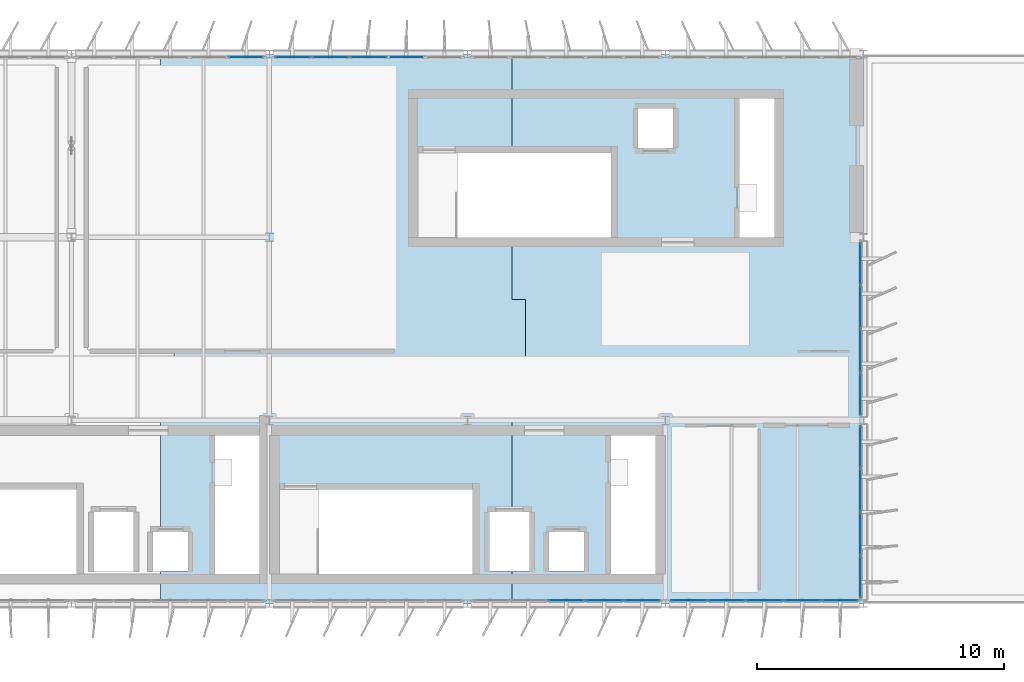
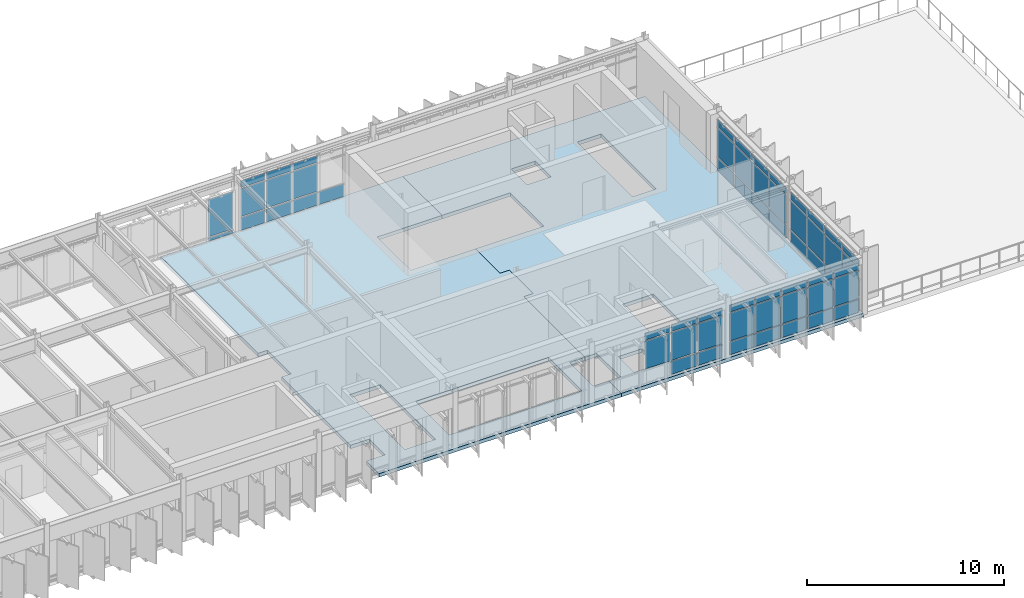
# One storey, part 13 of 20: 59 plates, 2 slabs, 6 elements without a shape of their own.
"""IFC4 building model written with IfcOpenShell, lengths in metres."""

from ifc_helpers import new_model, si_unit, direction, frame, origin, origin_2d, place, context, subcontext, project, spatial, polyline, rectangle, outline, extrude, material, layer, layer_set, type_object, element, aggregate, save


model = new_model("IFC4")

# Units and contexts
model_context = context("Model", 3, precision=1e-05, world=origin(), true_north=direction((0.0, 1.0)))
body_context = subcontext(model_context, "Body", "Model", "MODEL_VIEW")
ifc_project = project(units=[si_unit("LENGTHUNIT", "METRE"), si_unit("AREAUNIT", "SQUARE_METRE"), si_unit("VOLUMEUNIT", "CUBIC_METRE"), si_unit("PLANEANGLEUNIT", "RADIAN"), si_unit("MASSUNIT", "GRAM", prefix="KILO")], contexts=[model_context])

# Site, building, storey
site_placement = place(None, origin())
site = spatial("IfcSite", under=ifc_project, at=site_placement, CompositionType="ELEMENT")
building_placement = place(site_placement, origin())
building = spatial("IfcBuilding", under=site, at=building_placement, Name="Valkorina Park Police Headquarters", CompositionType="ELEMENT")
storey_placement = place(building_placement, frame((0.0, 0.0, 31.10009765625)))
storey = spatial("IfcBuildingStorey", under=building, at=storey_placement, Name="L08", CompositionType="ELEMENT", Elevation=31.10009765625)

# Curtain wall, plates
ifc_material_1 = material(Name="Thermally broken aluminium AW-6060", Category="aluminium")
ifc_layer_1 = layer(ifc_material_1, 0.18994140625)
ifc_layer_set_1 = layer_set([ifc_layer_1], Name="Thermally broken aluminium AW-6060")
curtain_wall_type_1 = type_object("IfcCurtainWallType", Name="CW-V5-7680x3210", PredefinedType="NOTDEFINED", material=ifc_layer_set_1)
curtain_wall_1_placement = place(storey_placement, origin())
curtain_wall_1 = element("IfcCurtainWall", 1, at=curtain_wall_1_placement, inside=storey, type_object=curtain_wall_type_1, Name="L08 Unitised Curtain Wall 156", PredefinedType="NOTDEFINED")
ifc_layer_2 = layer(ifc_material_1, 0.050048828125)
ifc_layer_set_2 = layer_set([ifc_layer_2], Name="Thermally broken aluminium AW-6060")
plate_type_1 = type_object("IfcPlateType", Name="PL-CWP-SPANDREL-50", PredefinedType="CURTAIN_PANEL", material=ifc_layer_set_2)
plate_1_placement = place(storey_placement, frame((55.8544921875, 37.1201171875, 0.06982421875), z_axis=(0.0, 0.0, 1.0), x_axis=(-1.0, 0.0, 0.0)))
plate_1 = element("IfcPlate", 2, at=plate_1_placement, type_object=plate_type_1, Name="CW-V5-768-321 panel 1.1", PredefinedType="CURTAIN_PANEL", context=body_context, shape_type="SweptSolid", body=[
    extrude(rectangle(XDim=1.430908203125, YDim=0.028076171875, at=origin_2d()), origin(), (0.0, 0.0, 1.0), 0.794921875),
])
plate_2_placement = place(storey_placement, frame((54.3359375, 37.1201171875, 0.06982421875), z_axis=(0.0, 0.0, 1.0), x_axis=(-1.0, 0.0, 0.0)))
plate_2 = element("IfcPlate", 3, at=plate_2_placement, type_object=plate_type_1, Name="CW-V5-768-321 panel 2.1", PredefinedType="CURTAIN_PANEL", context=body_context, shape_type="SweptSolid", body=[
    extrude(rectangle(XDim=1.466064453125, YDim=0.028076171875, at=origin_2d()), origin(), (0.0, 0.0, 1.0), 0.794921875),
])
plate_3_placement = place(storey_placement, frame((52.800048828125, 37.1201171875, 0.06982421875), z_axis=(0.0, 0.0, 1.0), x_axis=(-1.0, 0.0, 0.0)))
plate_3 = element("IfcPlate", 4, at=plate_3_placement, type_object=plate_type_1, Name="CW-V5-768-321 panel 3.1", PredefinedType="CURTAIN_PANEL", context=body_context, shape_type="SweptSolid", body=[
    extrude(rectangle(XDim=1.466064453125, YDim=0.028076171875, at=origin_2d()), origin(), (0.0, 0.0, 1.0), 0.794921875),
])
plate_4_placement = place(storey_placement, frame((51.263916015625, 37.1201171875, 0.06982421875), z_axis=(0.0, 0.0, 1.0), x_axis=(-1.0, 0.0, 0.0)))
plate_4 = element("IfcPlate", 5, at=plate_4_placement, type_object=plate_type_1, Name="CW-V5-768-321 panel 4.1", PredefinedType="CURTAIN_PANEL", context=body_context, shape_type="SweptSolid", body=[
    extrude(rectangle(XDim=1.466064453125, YDim=0.028076171875, at=origin_2d()), origin(), (0.0, 0.0, 1.0), 0.794921875),
])
plate_5_placement = place(storey_placement, frame((49.74560546875, 37.1201171875, 0.06982421875), z_axis=(0.0, 0.0, 1.0), x_axis=(-1.0, 0.0, 0.0)))
plate_5 = element("IfcPlate", 6, at=plate_5_placement, type_object=plate_type_1, Name="CW-V5-768-321 panel 5.1", PredefinedType="CURTAIN_PANEL", context=body_context, shape_type="SweptSolid", body=[
    extrude(rectangle(XDim=1.430908203125, YDim=0.028076171875, at=origin_2d()), origin(), (0.0, 0.0, 1.0), 0.794921875),
])

curtain_wall_2_placement = place(storey_placement, origin())
curtain_wall_2 = element("IfcCurtainWall", 7, at=curtain_wall_2_placement, inside=storey, type_object=curtain_wall_type_1, Name="L08 Unitised Curtain Wall 157", PredefinedType="NOTDEFINED")
plate_6_placement = place(storey_placement, frame((47.8544921875, 37.1201171875, 0.06982421875), z_axis=(0.0, 0.0, 1.0), x_axis=(-1.0, 0.0, 0.0)))
plate_6 = element("IfcPlate", 8, at=plate_6_placement, type_object=plate_type_1, Name="CW-V5-768-321 panel 1.1", PredefinedType="CURTAIN_PANEL", context=body_context, shape_type="SweptSolid", body=[
    extrude(rectangle(XDim=1.430908203125, YDim=0.028076171875, at=origin_2d()), origin(), (0.0, 0.0, 1.0), 0.794921875),
])
plate_7_placement = place(storey_placement, frame((46.3359375, 37.1201171875, 0.06982421875), z_axis=(0.0, 0.0, 1.0), x_axis=(-1.0, 0.0, 0.0)))
plate_7 = element("IfcPlate", 9, at=plate_7_placement, type_object=plate_type_1, Name="CW-V5-768-321 panel 2.1", PredefinedType="CURTAIN_PANEL", context=body_context, shape_type="SweptSolid", body=[
    extrude(rectangle(XDim=1.466064453125, YDim=0.028076171875, at=origin_2d()), origin(), (0.0, 0.0, 1.0), 0.794921875),
])

# Curtain wall, plate
ifc_layer_3 = layer(ifc_material_1, 0.18994140625)
ifc_layer_set_3 = layer_set([ifc_layer_3], Name="Thermally broken aluminium AW-6060")
curtain_wall_type_2 = type_object("IfcCurtainWallType", Name="CW-V5-7680x2710", PredefinedType="NOTDEFINED", material=ifc_layer_set_3)
curtain_wall_3_placement = place(storey_placement, origin())
curtain_wall_3 = element("IfcCurtainWall", 10, at=curtain_wall_3_placement, inside=storey, type_object=curtain_wall_type_2, Name="L08 Unitised Curtain Wall 169", PredefinedType="NOTDEFINED")
plate_8_placement = place(storey_placement, frame((31.8544921875, 59.080078125, 0.06982421875), z_axis=(0.0, 0.0, 1.0), x_axis=(1.0, 0.0, 0.0)))
plate_8 = element("IfcPlate", 11, at=plate_8_placement, type_object=plate_type_1, Name="CW-V5-768-271 panel 5.1", PredefinedType="CURTAIN_PANEL", context=body_context, shape_type="SweptSolid", body=[
    extrude(rectangle(XDim=1.430908203125, YDim=0.028076171875, at=origin_2d()), origin(), (0.0, 0.0, 1.0), 0.195068359375),
])

# Curtain wall, plates
curtain_wall_4_placement = place(storey_placement, origin())
curtain_wall_4 = element("IfcCurtainWall", 12, at=curtain_wall_4_placement, inside=storey, type_object=curtain_wall_type_1, Name="L08 Unitised Curtain Wall 170", PredefinedType="NOTDEFINED")
plate_9_placement = place(storey_placement, frame((33.74560546875, 59.080078125, 0.06982421875), z_axis=(0.0, 0.0, 1.0), x_axis=(1.0, 0.0, 0.0)))
plate_9 = element("IfcPlate", 13, at=plate_9_placement, type_object=plate_type_1, Name="CW-V5-768-321 panel 1.1", PredefinedType="CURTAIN_PANEL", context=body_context, shape_type="SweptSolid", body=[
    extrude(rectangle(XDim=1.430908203125, YDim=0.028076171875, at=origin_2d()), origin(), (0.0, 0.0, 1.0), 0.794921875),
])
plate_10_placement = place(storey_placement, frame((35.263916015625, 59.080078125, 0.06982421875), z_axis=(0.0, 0.0, 1.0), x_axis=(1.0, 0.0, 0.0)))
plate_10 = element("IfcPlate", 14, at=plate_10_placement, type_object=plate_type_1, Name="CW-V5-768-321 panel 2.1", PredefinedType="CURTAIN_PANEL", context=body_context, shape_type="SweptSolid", body=[
    extrude(rectangle(XDim=1.466064453125, YDim=0.028076171875, at=origin_2d()), origin(), (0.0, 0.0, 1.0), 0.794921875),
])
plate_11_placement = place(storey_placement, frame((36.800048828125, 59.080078125, 0.06982421875), z_axis=(0.0, 0.0, 1.0), x_axis=(1.0, 0.0, 0.0)))
plate_11 = element("IfcPlate", 15, at=plate_11_placement, type_object=plate_type_1, Name="CW-V5-768-321 panel 3.1", PredefinedType="CURTAIN_PANEL", context=body_context, shape_type="SweptSolid", body=[
    extrude(rectangle(XDim=1.466064453125, YDim=0.028076171875, at=origin_2d()), origin(), (0.0, 0.0, 1.0), 0.794921875),
])
plate_12_placement = place(storey_placement, frame((38.3359375, 59.080078125, 0.06982421875), z_axis=(0.0, 0.0, 1.0), x_axis=(1.0, 0.0, 0.0)))
plate_12 = element("IfcPlate", 16, at=plate_12_placement, type_object=plate_type_1, Name="CW-V5-768-321 panel 4.1", PredefinedType="CURTAIN_PANEL", context=body_context, shape_type="SweptSolid", body=[
    extrude(rectangle(XDim=1.466064453125, YDim=0.028076171875, at=origin_2d()), origin(), (0.0, 0.0, 1.0), 0.794921875),
])

ifc_layer_4 = layer(ifc_material_1, 0.18994140625)
ifc_layer_set_4 = layer_set([ifc_layer_4], Name="Thermally broken aluminium AW-6060")
curtain_wall_type_3 = type_object("IfcCurtainWallType", Name="CW-V5-7080x3280", PredefinedType="NOTDEFINED", material=ifc_layer_set_4)
curtain_wall_5_placement = place(storey_placement, origin())
curtain_wall_5 = element("IfcCurtainWall", 17, at=curtain_wall_5_placement, inside=storey, type_object=curtain_wall_type_3, Name="L08 Unitised Curtain Wall 173", PredefinedType="NOTDEFINED")
plate_13_placement = place(storey_placement, frame((56.679931640625, 50.737548828125, 0.06982421875), z_axis=(0.0, 0.0, 1.0), x_axis=(0.0, -1.0, 0.0)))
plate_13 = element("IfcPlate", 18, at=plate_13_placement, type_object=plate_type_1, Name="CW-V5-708-328 panel 1.1", PredefinedType="CURTAIN_PANEL", context=body_context, shape_type="SweptSolid", body=[
    extrude(rectangle(XDim=1.6650390625, YDim=0.028076171875, at=origin_2d()), origin(), (0.0, 0.0, 1.0), 0.794921875),
])
plate_14_placement = place(storey_placement, frame((56.679931640625, 48.985107421875, 0.06982421875), z_axis=(0.0, 0.0, 1.0), x_axis=(0.0, -1.0, 0.0)))
plate_14 = element("IfcPlate", 19, at=plate_14_placement, type_object=plate_type_1, Name="CW-V5-708-328 panel 2.1", PredefinedType="CURTAIN_PANEL", context=body_context, shape_type="SweptSolid", body=[
    extrude(rectangle(XDim=1.699951171875, YDim=0.028076171875, at=origin_2d()), origin(), (0.0, 0.0, 1.0), 0.794921875),
])
plate_15_placement = place(storey_placement, frame((56.679931640625, 47.215087890625, 0.06982421875), z_axis=(0.0, 0.0, 1.0), x_axis=(0.0, -1.0, 0.0)))
plate_15 = element("IfcPlate", 20, at=plate_15_placement, type_object=plate_type_1, Name="CW-V5-708-328 panel 3.1", PredefinedType="CURTAIN_PANEL", context=body_context, shape_type="SweptSolid", body=[
    extrude(rectangle(XDim=1.699951171875, YDim=0.028076171875, at=origin_2d()), origin(), (0.0, 0.0, 1.0), 0.794921875),
])
plate_16_placement = place(storey_placement, frame((56.679931640625, 45.46240234375, 0.06982421875), z_axis=(0.0, 0.0, 1.0), x_axis=(0.0, -1.0, 0.0)))
plate_16 = element("IfcPlate", 21, at=plate_16_placement, type_object=plate_type_1, Name="CW-V5-708-328 panel 4.1", PredefinedType="CURTAIN_PANEL", context=body_context, shape_type="SweptSolid", body=[
    extrude(rectangle(XDim=1.6650390625, YDim=0.028076171875, at=origin_2d()), origin(), (0.0, 0.0, 1.0), 0.794921875),
])

curtain_wall_6_placement = place(storey_placement, origin())
curtain_wall_6 = element("IfcCurtainWall", 22, at=curtain_wall_6_placement, inside=storey, type_object=curtain_wall_type_3, Name="L08 Unitised Curtain Wall 174", PredefinedType="NOTDEFINED")
plate_17_placement = place(storey_placement, frame((56.679931640625, 43.33740234375, 0.06982421875), z_axis=(0.0, 0.0, 1.0), x_axis=(0.0, -1.0, 0.0)))
plate_17 = element("IfcPlate", 23, at=plate_17_placement, type_object=plate_type_1, Name="CW-V5-708-328 panel 1.1", PredefinedType="CURTAIN_PANEL", context=body_context, shape_type="SweptSolid", body=[
    extrude(rectangle(XDim=1.6650390625, YDim=0.028076171875, at=origin_2d()), origin(), (0.0, 0.0, 1.0), 0.794921875),
])
plate_18_placement = place(storey_placement, frame((56.679931640625, 41.5849609375, 0.06982421875), z_axis=(0.0, 0.0, 1.0), x_axis=(0.0, -1.0, 0.0)))
plate_18 = element("IfcPlate", 24, at=plate_18_placement, type_object=plate_type_1, Name="CW-V5-708-328 panel 2.1", PredefinedType="CURTAIN_PANEL", context=body_context, shape_type="SweptSolid", body=[
    extrude(rectangle(XDim=1.699951171875, YDim=0.028076171875, at=origin_2d()), origin(), (0.0, 0.0, 1.0), 0.794921875),
])
plate_19_placement = place(storey_placement, frame((56.679931640625, 39.81494140625, 0.06982421875), z_axis=(0.0, 0.0, 1.0), x_axis=(0.0, -1.0, 0.0)))
plate_19 = element("IfcPlate", 25, at=plate_19_placement, type_object=plate_type_1, Name="CW-V5-708-328 panel 3.1", PredefinedType="CURTAIN_PANEL", context=body_context, shape_type="SweptSolid", body=[
    extrude(rectangle(XDim=1.699951171875, YDim=0.028076171875, at=origin_2d()), origin(), (0.0, 0.0, 1.0), 0.794921875),
])
plate_20_placement = place(storey_placement, frame((56.679931640625, 38.0625, 0.06982421875), z_axis=(0.0, 0.0, 1.0), x_axis=(0.0, -1.0, 0.0)))
plate_20 = element("IfcPlate", 26, at=plate_20_placement, type_object=plate_type_1, Name="CW-V5-708-328 panel 4.1", PredefinedType="CURTAIN_PANEL", context=body_context, shape_type="SweptSolid", body=[
    extrude(rectangle(XDim=1.6650390625, YDim=0.028076171875, at=origin_2d()), origin(), (0.0, 0.0, 1.0), 0.794921875),
])

# Plate
ifc_material_2 = material(Name="Triple low-E insulated glazing", Category="glass")
ifc_layer_5 = layer(ifc_material_2, 0.028076171875)
ifc_layer_set_5 = layer_set([ifc_layer_5], Name="Triple low-E insulated glazing")
plate_type_2 = type_object("IfcPlateType", Name="PL-CWP-VISION-28", PredefinedType="CURTAIN_PANEL", material=ifc_layer_set_5)
plate_21_placement = place(storey_placement, frame((55.8544921875, 37.1201171875, 0.93505859375), z_axis=(0.0, 0.0, 1.0), x_axis=(-1.0, 0.0, 0.0)))
plate_21 = element("IfcPlate", 27, at=plate_21_placement, type_object=plate_type_2, Name="CW-V5-768-321 panel 1.2", PredefinedType="CURTAIN_PANEL", context=body_context, shape_type="SweptSolid", body=[
    extrude(rectangle(XDim=1.430908203125, YDim=0.028076171875, at=origin_2d()), origin(), (0.0, 0.0, 1.0), 1.719970703125),
])

plate_22_placement = place(storey_placement, frame((55.8544921875, 37.1201171875, 2.724853515625), z_axis=(0.0, 0.0, 1.0), x_axis=(-1.0, 0.0, 0.0)))
plate_22 = element("IfcPlate", 28, at=plate_22_placement, type_object=plate_type_2, Name="CW-V5-768-321 panel 1.3", PredefinedType="CURTAIN_PANEL", context=body_context, shape_type="SweptSolid", body=[
    extrude(rectangle(XDim=1.430908203125, YDim=0.028076171875, at=origin_2d()), origin(), (0.0, 0.0, 1.0), 0.4150390625),
])

plate_23_placement = place(storey_placement, frame((54.3359375, 37.1201171875, 0.93505859375), z_axis=(0.0, 0.0, 1.0), x_axis=(-1.0, 0.0, 0.0)))
plate_23 = element("IfcPlate", 29, at=plate_23_placement, type_object=plate_type_2, Name="CW-V5-768-321 panel 2.2", PredefinedType="CURTAIN_PANEL", context=body_context, shape_type="SweptSolid", body=[
    extrude(rectangle(XDim=1.466064453125, YDim=0.028076171875, at=origin_2d()), origin(), (0.0, 0.0, 1.0), 1.719970703125),
])

plate_24_placement = place(storey_placement, frame((54.3359375, 37.1201171875, 2.724853515625), z_axis=(0.0, 0.0, 1.0), x_axis=(-1.0, 0.0, 0.0)))
plate_24 = element("IfcPlate", 30, at=plate_24_placement, type_object=plate_type_2, Name="CW-V5-768-321 panel 2.3", PredefinedType="CURTAIN_PANEL", context=body_context, shape_type="SweptSolid", body=[
    extrude(rectangle(XDim=1.466064453125, YDim=0.028076171875, at=origin_2d()), origin(), (0.0, 0.0, 1.0), 0.4150390625),
])

plate_25_placement = place(storey_placement, frame((52.800048828125, 37.1201171875, 0.93505859375), z_axis=(0.0, 0.0, 1.0), x_axis=(-1.0, 0.0, 0.0)))
plate_25 = element("IfcPlate", 31, at=plate_25_placement, type_object=plate_type_2, Name="CW-V5-768-321 panel 3.2", PredefinedType="CURTAIN_PANEL", context=body_context, shape_type="SweptSolid", body=[
    extrude(rectangle(XDim=1.466064453125, YDim=0.028076171875, at=origin_2d()), origin(), (0.0, 0.0, 1.0), 1.719970703125),
])

plate_26_placement = place(storey_placement, frame((52.800048828125, 37.1201171875, 2.724853515625), z_axis=(0.0, 0.0, 1.0), x_axis=(-1.0, 0.0, 0.0)))
plate_26 = element("IfcPlate", 32, at=plate_26_placement, type_object=plate_type_2, Name="CW-V5-768-321 panel 3.3", PredefinedType="CURTAIN_PANEL", context=body_context, shape_type="SweptSolid", body=[
    extrude(rectangle(XDim=1.466064453125, YDim=0.028076171875, at=origin_2d()), origin(), (0.0, 0.0, 1.0), 0.4150390625),
])

plate_27_placement = place(storey_placement, frame((51.263916015625, 37.1201171875, 0.93505859375), z_axis=(0.0, 0.0, 1.0), x_axis=(-1.0, 0.0, 0.0)))
plate_27 = element("IfcPlate", 33, at=plate_27_placement, type_object=plate_type_2, Name="CW-V5-768-321 panel 4.2", PredefinedType="CURTAIN_PANEL", context=body_context, shape_type="SweptSolid", body=[
    extrude(rectangle(XDim=1.466064453125, YDim=0.028076171875, at=origin_2d()), origin(), (0.0, 0.0, 1.0), 1.719970703125),
])

plate_28_placement = place(storey_placement, frame((51.263916015625, 37.1201171875, 2.724853515625), z_axis=(0.0, 0.0, 1.0), x_axis=(-1.0, 0.0, 0.0)))
plate_28 = element("IfcPlate", 34, at=plate_28_placement, type_object=plate_type_2, Name="CW-V5-768-321 panel 4.3", PredefinedType="CURTAIN_PANEL", context=body_context, shape_type="SweptSolid", body=[
    extrude(rectangle(XDim=1.466064453125, YDim=0.028076171875, at=origin_2d()), origin(), (0.0, 0.0, 1.0), 0.4150390625),
])

plate_29_placement = place(storey_placement, frame((49.74560546875, 37.1201171875, 0.93505859375), z_axis=(0.0, 0.0, 1.0), x_axis=(-1.0, 0.0, 0.0)))
plate_29 = element("IfcPlate", 35, at=plate_29_placement, type_object=plate_type_2, Name="CW-V5-768-321 panel 5.2", PredefinedType="CURTAIN_PANEL", context=body_context, shape_type="SweptSolid", body=[
    extrude(rectangle(XDim=1.430908203125, YDim=0.028076171875, at=origin_2d()), origin(), (0.0, 0.0, 1.0), 1.719970703125),
])

plate_30_placement = place(storey_placement, frame((49.74560546875, 37.1201171875, 2.724853515625), z_axis=(0.0, 0.0, 1.0), x_axis=(-1.0, 0.0, 0.0)))
plate_30 = element("IfcPlate", 36, at=plate_30_placement, type_object=plate_type_2, Name="CW-V5-768-321 panel 5.3", PredefinedType="CURTAIN_PANEL", context=body_context, shape_type="SweptSolid", body=[
    extrude(rectangle(XDim=1.430908203125, YDim=0.028076171875, at=origin_2d()), origin(), (0.0, 0.0, 1.0), 0.4150390625),
])

aggregate(curtain_wall_1, [plate_1, plate_21, plate_22, plate_2, plate_23, plate_24, plate_3, plate_25, plate_26, plate_4, plate_27, plate_28, plate_5, plate_29, plate_30])

plate_31_placement = place(storey_placement, frame((47.8544921875, 37.1201171875, 0.93505859375), z_axis=(0.0, 0.0, 1.0), x_axis=(-1.0, 0.0, 0.0)))
plate_31 = element("IfcPlate", 37, at=plate_31_placement, type_object=plate_type_2, Name="CW-V5-768-321 panel 1.2", PredefinedType="CURTAIN_PANEL", context=body_context, shape_type="SweptSolid", body=[
    extrude(rectangle(XDim=1.430908203125, YDim=0.028076171875, at=origin_2d()), origin(), (0.0, 0.0, 1.0), 1.719970703125),
])

plate_32_placement = place(storey_placement, frame((47.8544921875, 37.1201171875, 2.724853515625), z_axis=(0.0, 0.0, 1.0), x_axis=(-1.0, 0.0, 0.0)))
plate_32 = element("IfcPlate", 38, at=plate_32_placement, type_object=plate_type_2, Name="CW-V5-768-321 panel 1.3", PredefinedType="CURTAIN_PANEL", context=body_context, shape_type="SweptSolid", body=[
    extrude(rectangle(XDim=1.430908203125, YDim=0.028076171875, at=origin_2d()), origin(), (0.0, 0.0, 1.0), 0.4150390625),
])

plate_33_placement = place(storey_placement, frame((46.3359375, 37.1201171875, 0.93505859375), z_axis=(0.0, 0.0, 1.0), x_axis=(-1.0, 0.0, 0.0)))
plate_33 = element("IfcPlate", 39, at=plate_33_placement, type_object=plate_type_2, Name="CW-V5-768-321 panel 2.2", PredefinedType="CURTAIN_PANEL", context=body_context, shape_type="SweptSolid", body=[
    extrude(rectangle(XDim=1.466064453125, YDim=0.028076171875, at=origin_2d()), origin(), (0.0, 0.0, 1.0), 1.719970703125),
])

plate_34_placement = place(storey_placement, frame((46.3359375, 37.1201171875, 2.724853515625), z_axis=(0.0, 0.0, 1.0), x_axis=(-1.0, 0.0, 0.0)))
plate_34 = element("IfcPlate", 40, at=plate_34_placement, type_object=plate_type_2, Name="CW-V5-768-321 panel 2.3", PredefinedType="CURTAIN_PANEL", context=body_context, shape_type="SweptSolid", body=[
    extrude(rectangle(XDim=1.466064453125, YDim=0.028076171875, at=origin_2d()), origin(), (0.0, 0.0, 1.0), 0.4150390625),
])

plate_35_placement = place(storey_placement, frame((44.800048828125, 37.1201171875, 0.93505859375), z_axis=(0.0, 0.0, 1.0), x_axis=(-1.0, 0.0, 0.0)))
plate_35 = element("IfcPlate", 41, at=plate_35_placement, type_object=plate_type_2, Name="CW-V5-768-321 panel 3.2", PredefinedType="CURTAIN_PANEL", context=body_context, shape_type="SweptSolid", body=[
    extrude(rectangle(XDim=1.466064453125, YDim=0.028076171875, at=origin_2d()), origin(), (0.0, 0.0, 1.0), 1.719970703125),
])

plate_36_placement = place(storey_placement, frame((44.800048828125, 37.1201171875, 2.724853515625), z_axis=(0.0, 0.0, 1.0), x_axis=(-1.0, 0.0, 0.0)))
plate_36 = element("IfcPlate", 42, at=plate_36_placement, type_object=plate_type_2, Name="CW-V5-768-321 panel 3.3", PredefinedType="CURTAIN_PANEL", context=body_context, shape_type="SweptSolid", body=[
    extrude(rectangle(XDim=1.466064453125, YDim=0.028076171875, at=origin_2d()), origin(), (0.0, 0.0, 1.0), 0.4150390625),
])

aggregate(curtain_wall_2, [plate_6, plate_31, plate_32, plate_7, plate_33, plate_34, plate_35, plate_36])

plate_37_placement = place(storey_placement, frame((31.8544921875, 59.080078125, 0.3349609375), z_axis=(0.0, 0.0, 1.0), x_axis=(1.0, 0.0, 0.0)))
plate_37 = element("IfcPlate", 43, at=plate_37_placement, type_object=plate_type_2, Name="CW-V5-768-271 panel 5.2", PredefinedType="CURTAIN_PANEL", context=body_context, shape_type="SweptSolid", body=[
    extrude(rectangle(XDim=1.430908203125, YDim=0.028076171875, at=origin_2d()), origin(), (0.0, 0.0, 1.0), 2.304931640625),
])

aggregate(curtain_wall_3, [plate_8, plate_37])

plate_38_placement = place(storey_placement, frame((33.74560546875, 59.080078125, 0.93505859375), z_axis=(0.0, 0.0, 1.0), x_axis=(1.0, 0.0, 0.0)))
plate_38 = element("IfcPlate", 44, at=plate_38_placement, type_object=plate_type_2, Name="CW-V5-768-321 panel 1.2", PredefinedType="CURTAIN_PANEL", context=body_context, shape_type="SweptSolid", body=[
    extrude(rectangle(XDim=1.430908203125, YDim=0.028076171875, at=origin_2d()), origin(), (0.0, 0.0, 1.0), 1.719970703125),
])

plate_39_placement = place(storey_placement, frame((33.74560546875, 59.080078125, 2.724853515625), z_axis=(0.0, 0.0, 1.0), x_axis=(1.0, 0.0, 0.0)))
plate_39 = element("IfcPlate", 45, at=plate_39_placement, type_object=plate_type_2, Name="CW-V5-768-321 panel 1.3", PredefinedType="CURTAIN_PANEL", context=body_context, shape_type="SweptSolid", body=[
    extrude(rectangle(XDim=1.430908203125, YDim=0.028076171875, at=origin_2d()), origin(), (0.0, 0.0, 1.0), 0.4150390625),
])

plate_40_placement = place(storey_placement, frame((35.263916015625, 59.080078125, 0.93505859375), z_axis=(0.0, 0.0, 1.0), x_axis=(1.0, 0.0, 0.0)))
plate_40 = element("IfcPlate", 46, at=plate_40_placement, type_object=plate_type_2, Name="CW-V5-768-321 panel 2.2", PredefinedType="CURTAIN_PANEL", context=body_context, shape_type="SweptSolid", body=[
    extrude(rectangle(XDim=1.466064453125, YDim=0.028076171875, at=origin_2d()), origin(), (0.0, 0.0, 1.0), 1.719970703125),
])

plate_41_placement = place(storey_placement, frame((35.263916015625, 59.080078125, 2.724853515625), z_axis=(0.0, 0.0, 1.0), x_axis=(1.0, 0.0, 0.0)))
plate_41 = element("IfcPlate", 47, at=plate_41_placement, type_object=plate_type_2, Name="CW-V5-768-321 panel 2.3", PredefinedType="CURTAIN_PANEL", context=body_context, shape_type="SweptSolid", body=[
    extrude(rectangle(XDim=1.466064453125, YDim=0.028076171875, at=origin_2d()), origin(), (0.0, 0.0, 1.0), 0.4150390625),
])

plate_42_placement = place(storey_placement, frame((36.800048828125, 59.080078125, 0.93505859375), z_axis=(0.0, 0.0, 1.0), x_axis=(1.0, 0.0, 0.0)))
plate_42 = element("IfcPlate", 48, at=plate_42_placement, type_object=plate_type_2, Name="CW-V5-768-321 panel 3.2", PredefinedType="CURTAIN_PANEL", context=body_context, shape_type="SweptSolid", body=[
    extrude(rectangle(XDim=1.466064453125, YDim=0.028076171875, at=origin_2d()), origin(), (0.0, 0.0, 1.0), 1.719970703125),
])

plate_43_placement = place(storey_placement, frame((36.800048828125, 59.080078125, 2.724853515625), z_axis=(0.0, 0.0, 1.0), x_axis=(1.0, 0.0, 0.0)))
plate_43 = element("IfcPlate", 49, at=plate_43_placement, type_object=plate_type_2, Name="CW-V5-768-321 panel 3.3", PredefinedType="CURTAIN_PANEL", context=body_context, shape_type="SweptSolid", body=[
    extrude(rectangle(XDim=1.466064453125, YDim=0.028076171875, at=origin_2d()), origin(), (0.0, 0.0, 1.0), 0.4150390625),
])

aggregate(curtain_wall_4, [plate_9, plate_38, plate_39, plate_10, plate_40, plate_41, plate_11, plate_42, plate_43, plate_12])

plate_44_placement = place(storey_placement, frame((56.679931640625, 50.737548828125, 0.934814453125), z_axis=(0.0, 0.0, 1.0), x_axis=(0.0, -1.0, 0.0)))
plate_44 = element("IfcPlate", 50, at=plate_44_placement, type_object=plate_type_2, Name="CW-V5-708-328 panel 1.2", PredefinedType="CURTAIN_PANEL", context=body_context, shape_type="SweptSolid", body=[
    extrude(rectangle(XDim=1.6650390625, YDim=0.028076171875, at=origin_2d()), origin(), (0.0, 0.0, 1.0), 1.7900390625),
])

plate_45_placement = place(storey_placement, frame((56.679931640625, 50.737548828125, 2.794921875), z_axis=(0.0, 0.0, 1.0), x_axis=(0.0, -1.0, 0.0)))
plate_45 = element("IfcPlate", 51, at=plate_45_placement, type_object=plate_type_2, Name="CW-V5-708-328 panel 1.3", PredefinedType="CURTAIN_PANEL", context=body_context, shape_type="SweptSolid", body=[
    extrude(rectangle(XDim=1.6650390625, YDim=0.028076171875, at=origin_2d()), origin(), (0.0, 0.0, 1.0), 0.4150390625),
])

plate_46_placement = place(storey_placement, frame((56.679931640625, 48.985107421875, 0.934814453125), z_axis=(0.0, 0.0, 1.0), x_axis=(0.0, -1.0, 0.0)))
plate_46 = element("IfcPlate", 52, at=plate_46_placement, type_object=plate_type_2, Name="CW-V5-708-328 panel 2.2", PredefinedType="CURTAIN_PANEL", context=body_context, shape_type="SweptSolid", body=[
    extrude(rectangle(XDim=1.699951171875, YDim=0.028076171875, at=origin_2d()), origin(), (0.0, 0.0, 1.0), 1.7900390625),
])

plate_47_placement = place(storey_placement, frame((56.679931640625, 48.985107421875, 2.794921875), z_axis=(0.0, 0.0, 1.0), x_axis=(0.0, -1.0, 0.0)))
plate_47 = element("IfcPlate", 53, at=plate_47_placement, type_object=plate_type_2, Name="CW-V5-708-328 panel 2.3", PredefinedType="CURTAIN_PANEL", context=body_context, shape_type="SweptSolid", body=[
    extrude(rectangle(XDim=1.699951171875, YDim=0.028076171875, at=origin_2d()), origin(), (0.0, 0.0, 1.0), 0.4150390625),
])

plate_48_placement = place(storey_placement, frame((56.679931640625, 47.215087890625, 0.934814453125), z_axis=(0.0, 0.0, 1.0), x_axis=(0.0, -1.0, 0.0)))
plate_48 = element("IfcPlate", 54, at=plate_48_placement, type_object=plate_type_2, Name="CW-V5-708-328 panel 3.2", PredefinedType="CURTAIN_PANEL", context=body_context, shape_type="SweptSolid", body=[
    extrude(rectangle(XDim=1.699951171875, YDim=0.028076171875, at=origin_2d()), origin(), (0.0, 0.0, 1.0), 1.7900390625),
])

plate_49_placement = place(storey_placement, frame((56.679931640625, 47.215087890625, 2.794921875), z_axis=(0.0, 0.0, 1.0), x_axis=(0.0, -1.0, 0.0)))
plate_49 = element("IfcPlate", 55, at=plate_49_placement, type_object=plate_type_2, Name="CW-V5-708-328 panel 3.3", PredefinedType="CURTAIN_PANEL", context=body_context, shape_type="SweptSolid", body=[
    extrude(rectangle(XDim=1.699951171875, YDim=0.028076171875, at=origin_2d()), origin(), (0.0, 0.0, 1.0), 0.4150390625),
])

plate_50_placement = place(storey_placement, frame((56.679931640625, 45.46240234375, 0.934814453125), z_axis=(0.0, 0.0, 1.0), x_axis=(0.0, -1.0, 0.0)))
plate_50 = element("IfcPlate", 56, at=plate_50_placement, type_object=plate_type_2, Name="CW-V5-708-328 panel 4.2", PredefinedType="CURTAIN_PANEL", context=body_context, shape_type="SweptSolid", body=[
    extrude(rectangle(XDim=1.6650390625, YDim=0.028076171875, at=origin_2d()), origin(), (0.0, 0.0, 1.0), 1.7900390625),
])

plate_51_placement = place(storey_placement, frame((56.679931640625, 45.46240234375, 2.794921875), z_axis=(0.0, 0.0, 1.0), x_axis=(0.0, -1.0, 0.0)))
plate_51 = element("IfcPlate", 57, at=plate_51_placement, type_object=plate_type_2, Name="CW-V5-708-328 panel 4.3", PredefinedType="CURTAIN_PANEL", context=body_context, shape_type="SweptSolid", body=[
    extrude(rectangle(XDim=1.6650390625, YDim=0.028076171875, at=origin_2d()), origin(), (0.0, 0.0, 1.0), 0.4150390625),
])

aggregate(curtain_wall_5, [plate_13, plate_44, plate_45, plate_14, plate_46, plate_47, plate_15, plate_48, plate_49, plate_16, plate_50, plate_51])

plate_52_placement = place(storey_placement, frame((56.679931640625, 43.33740234375, 0.934814453125), z_axis=(0.0, 0.0, 1.0), x_axis=(0.0, -1.0, 0.0)))
plate_52 = element("IfcPlate", 58, at=plate_52_placement, type_object=plate_type_2, Name="CW-V5-708-328 panel 1.2", PredefinedType="CURTAIN_PANEL", context=body_context, shape_type="SweptSolid", body=[
    extrude(rectangle(XDim=1.6650390625, YDim=0.028076171875, at=origin_2d()), origin(), (0.0, 0.0, 1.0), 1.7900390625),
])

plate_53_placement = place(storey_placement, frame((56.679931640625, 43.33740234375, 2.794921875), z_axis=(0.0, 0.0, 1.0), x_axis=(0.0, -1.0, 0.0)))
plate_53 = element("IfcPlate", 59, at=plate_53_placement, type_object=plate_type_2, Name="CW-V5-708-328 panel 1.3", PredefinedType="CURTAIN_PANEL", context=body_context, shape_type="SweptSolid", body=[
    extrude(rectangle(XDim=1.6650390625, YDim=0.028076171875, at=origin_2d()), origin(), (0.0, 0.0, 1.0), 0.4150390625),
])

plate_54_placement = place(storey_placement, frame((56.679931640625, 41.5849609375, 0.934814453125), z_axis=(0.0, 0.0, 1.0), x_axis=(0.0, -1.0, 0.0)))
plate_54 = element("IfcPlate", 60, at=plate_54_placement, type_object=plate_type_2, Name="CW-V5-708-328 panel 2.2", PredefinedType="CURTAIN_PANEL", context=body_context, shape_type="SweptSolid", body=[
    extrude(rectangle(XDim=1.699951171875, YDim=0.028076171875, at=origin_2d()), origin(), (0.0, 0.0, 1.0), 1.7900390625),
])

plate_55_placement = place(storey_placement, frame((56.679931640625, 41.5849609375, 2.794921875), z_axis=(0.0, 0.0, 1.0), x_axis=(0.0, -1.0, 0.0)))
plate_55 = element("IfcPlate", 61, at=plate_55_placement, type_object=plate_type_2, Name="CW-V5-708-328 panel 2.3", PredefinedType="CURTAIN_PANEL", context=body_context, shape_type="SweptSolid", body=[
    extrude(rectangle(XDim=1.699951171875, YDim=0.028076171875, at=origin_2d()), origin(), (0.0, 0.0, 1.0), 0.4150390625),
])

plate_56_placement = place(storey_placement, frame((56.679931640625, 39.81494140625, 0.934814453125), z_axis=(0.0, 0.0, 1.0), x_axis=(0.0, -1.0, 0.0)))
plate_56 = element("IfcPlate", 62, at=plate_56_placement, type_object=plate_type_2, Name="CW-V5-708-328 panel 3.2", PredefinedType="CURTAIN_PANEL", context=body_context, shape_type="SweptSolid", body=[
    extrude(rectangle(XDim=1.699951171875, YDim=0.028076171875, at=origin_2d()), origin(), (0.0, 0.0, 1.0), 1.7900390625),
])

plate_57_placement = place(storey_placement, frame((56.679931640625, 39.81494140625, 2.794921875), z_axis=(0.0, 0.0, 1.0), x_axis=(0.0, -1.0, 0.0)))
plate_57 = element("IfcPlate", 63, at=plate_57_placement, type_object=plate_type_2, Name="CW-V5-708-328 panel 3.3", PredefinedType="CURTAIN_PANEL", context=body_context, shape_type="SweptSolid", body=[
    extrude(rectangle(XDim=1.699951171875, YDim=0.028076171875, at=origin_2d()), origin(), (0.0, 0.0, 1.0), 0.4150390625),
])

plate_58_placement = place(storey_placement, frame((56.679931640625, 38.0625, 0.934814453125), z_axis=(0.0, 0.0, 1.0), x_axis=(0.0, -1.0, 0.0)))
plate_58 = element("IfcPlate", 64, at=plate_58_placement, type_object=plate_type_2, Name="CW-V5-708-328 panel 4.2", PredefinedType="CURTAIN_PANEL", context=body_context, shape_type="SweptSolid", body=[
    extrude(rectangle(XDim=1.6650390625, YDim=0.028076171875, at=origin_2d()), origin(), (0.0, 0.0, 1.0), 1.7900390625),
])

plate_59_placement = place(storey_placement, frame((56.679931640625, 38.0625, 2.794921875), z_axis=(0.0, 0.0, 1.0), x_axis=(0.0, -1.0, 0.0)))
plate_59 = element("IfcPlate", 65, at=plate_59_placement, type_object=plate_type_2, Name="CW-V5-708-328 panel 4.3", PredefinedType="CURTAIN_PANEL", context=body_context, shape_type="SweptSolid", body=[
    extrude(rectangle(XDim=1.6650390625, YDim=0.028076171875, at=origin_2d()), origin(), (0.0, 0.0, 1.0), 0.4150390625),
])

aggregate(curtain_wall_6, [plate_17, plate_52, plate_53, plate_18, plate_54, plate_55, plate_19, plate_56, plate_57, plate_20, plate_58, plate_59])

# Slabs
ifc_material_3 = material(Name="Concrete C35/45", Category="concrete")
ifc_layer_6 = layer(ifc_material_3, 0.219970703125)
ifc_layer_set_6 = layer_set([ifc_layer_6], Name="Concrete C35/45")
slab_type = type_object("IfcSlabType", Name="SL-COMP-OFF-150", PredefinedType="FLOOR", material=ifc_layer_set_6)
slab_1_placement = place(storey_placement, frame((0.0, 0.0, -0.22021484375)))
element("IfcSlab", 66, at=slab_1_placement, inside=storey, type_object=slab_type, Name="L08 Structural Floor Slab 113", PredefinedType="FLOOR", context=body_context, shape_type="SweptSolid", body=[
    extrude(outline(polyline([(43.14990234375, 49.2958984375), (42.60009765625, 49.2958984375), (42.60009765625, 51.800048828125), (38.800048828125, 51.800048828125), (38.800048828125, 55.199951171875), (42.60009765625, 55.199951171875), (42.60009765625, 59.19189453125), (28.39990234375, 59.19189453125), (28.39990234375, 49.2958984375), (28.949951171875, 49.2958984375), (28.949951171875, 46.89599609375), (28.39990234375, 46.89599609375), (28.39990234375, 39.89990234375), (29.5, 39.89990234375), (29.5, 38.300048828125), (28.39990234375, 38.300048828125), (28.39990234375, 37.0), (42.60009765625, 37.0), (42.60009765625, 38.300048828125), (41.699951171875, 38.300048828125), (41.699951171875, 40.699951171875), (42.60009765625, 40.699951171875), (42.60009765625, 46.89599609375), (43.14990234375, 46.89599609375), (43.14990234375, 49.2958984375)]), holes=[polyline([(33.199951171875, 38.199951171875), (33.199951171875, 41.60009765625), (41.0, 41.60009765625), (41.0, 38.199951171875), (33.199951171875, 38.199951171875)]), polyline([(32.39990234375, 43.800048828125), (32.39990234375, 38.199951171875), (30.60009765625, 38.199951171875), (30.60009765625, 43.800048828125), (32.39990234375, 43.800048828125)])]), origin(), (0.0, 0.0, 1.0), 0.22021484375),
])
slab_2_placement = place(storey_placement, frame((0.0, 0.0, -0.22021484375)))
element("IfcSlab", 67, at=slab_2_placement, inside=storey, type_object=slab_type, Name="L08 Structural Floor Slab 114", PredefinedType="FLOOR", context=body_context, shape_type="SweptSolid", body=[
    extrude(outline(polyline([(42.60009765625, 59.19189453125), (42.60009765625, 55.199951171875), (46.60009765625, 55.199951171875), (46.60009765625, 51.800048828125), (42.60009765625, 51.800048828125), (42.60009765625, 49.2958984375), (43.14990234375, 49.2958984375), (43.14990234375, 46.89599609375), (42.60009765625, 46.89599609375), (42.60009765625, 40.699951171875), (43.300048828125, 40.699951171875), (43.300048828125, 38.300048828125), (42.60009765625, 38.300048828125), (42.60009765625, 37.0), (56.800048828125, 37.0), (56.800048828125, 59.19189453125), (42.60009765625, 59.19189453125)]), holes=[polyline([(45.5, 38.300048828125), (44.10009765625, 38.300048828125), (44.10009765625, 39.89990234375), (45.5, 39.89990234375), (45.5, 38.300048828125)]), polyline([(48.39990234375, 38.199951171875), (46.60009765625, 38.199951171875), (46.60009765625, 43.800048828125), (48.39990234375, 43.800048828125), (48.39990234375, 38.199951171875)]), polyline([(53.199951171875, 51.800048828125), (51.800048828125, 51.800048828125), (51.800048828125, 57.39990234375), (53.199951171875, 57.39990234375), (53.199951171875, 51.800048828125)]), polyline([(49.10009765625, 55.39990234375), (47.699951171875, 55.39990234375), (47.699951171875, 57.0), (49.10009765625, 57.0), (49.10009765625, 55.39990234375)])]), origin(), (0.0, 0.0, 1.0), 0.22021484375),
])

save(model, "model.ifc")
